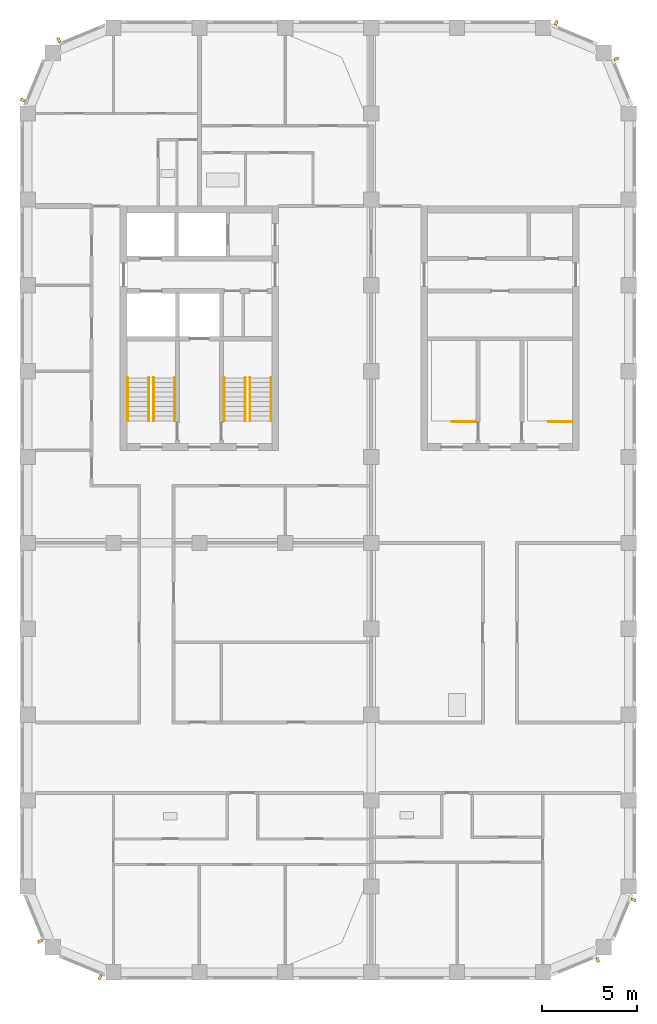
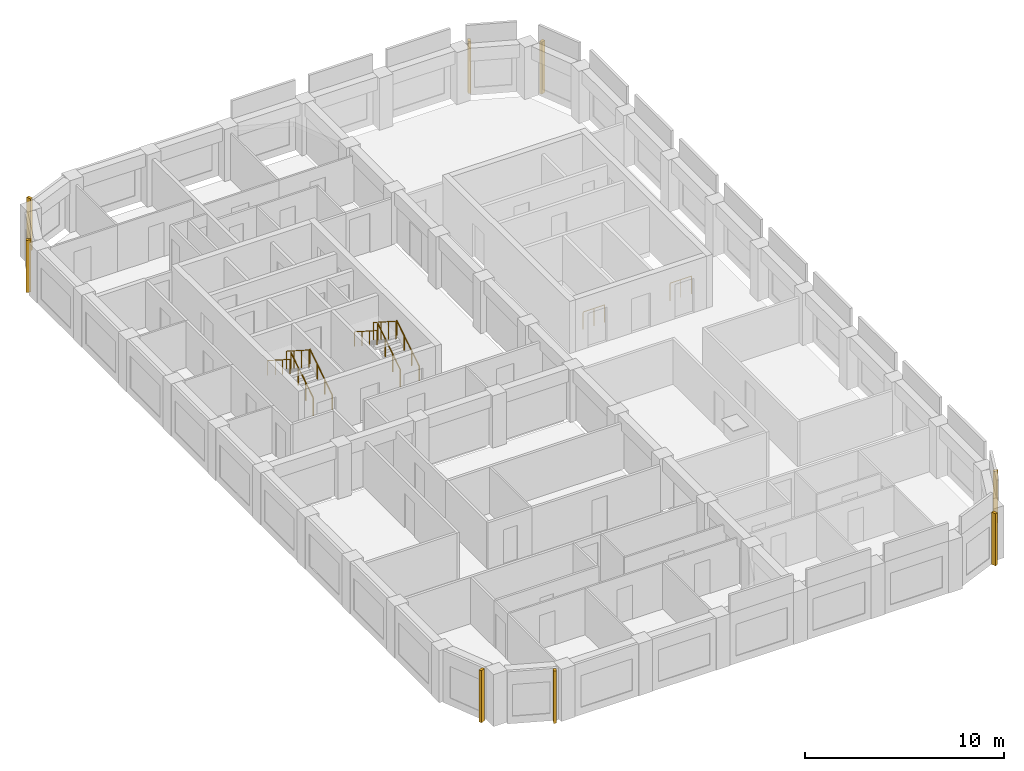
# One storey, part 9 of 10: 10 railings, 8 shading devices.
"""IFC4 building model written with IfcOpenShell, lengths in metres."""

from ifc_helpers import new_model, si_unit, direction, frame, origin, origin_2d, place, context, subcontext, project, spatial, rectangle, circle, extrude, material, type_object, element, save


model = new_model("IFC4")

# Units and contexts
model_context = context("Model", 3, precision=1e-05, world=origin(), true_north=direction((0.0, 1.0)))
body_context = subcontext(model_context, "Body", "Model", "MODEL_VIEW")
ifc_project = project(units=[si_unit("LENGTHUNIT", "METRE"), si_unit("AREAUNIT", "SQUARE_METRE"), si_unit("VOLUMEUNIT", "CUBIC_METRE"), si_unit("PLANEANGLEUNIT", "RADIAN"), si_unit("MASSUNIT", "GRAM", prefix="KILO")], contexts=[model_context])

# Site, building, storey
site_placement = place(None, origin())
site = spatial("IfcSite", under=ifc_project, at=site_placement, CompositionType="ELEMENT")
building_placement = place(site_placement, origin())
building = spatial("IfcBuilding", under=site, at=building_placement, Name="Girih Gate Residences", CompositionType="ELEMENT")
storey_placement = place(building_placement, frame((0.0, 0.0, 232.4951171875)))
storey = spatial("IfcBuildingStorey", under=building, at=storey_placement, Name="L65", CompositionType="ELEMENT", Elevation=232.4951171875)

# Shading devices
ifc_material_1 = material(Name="Precast concrete C50/60", Category="concrete")
shading_device_type = type_object("IfcShadingDeviceType", Name="Corner rib 150x250", PredefinedType="USERDEFINED", material=ifc_material_1)
for number, where, z_axis, x_axis, name in (
    (1, (29.867919921875, 0.646728515625, 0.0), (0.0, 0.0, 1.0), (0.923879532511, 0.382683432365, 0.0), "Corner rib SE0270_0000.0"),
    (2, (31.752685546875, 3.80322265625, 0.0), (0.0, 0.0, 1.0), (0.382683432365, 0.923879532511, 0.0), "Corner rib SE0302_0013.0"),
    (3, (30.853271484375, 47.867919921875, 0.0), (0.0, 0.0, 1.0), (-0.382683432365, 0.923879532511, 0.0), "Corner rib NE0315_0450.0"),
    (4, (27.69677734375, 49.752685546875, 0.0), (0.0, 0.0, 1.0), (-0.923879532511, 0.382683432365, 0.0), "Corner rib NE0302_0482.0"),
    (5, (1.632080078125, 48.853271484375, 0.0), (0.0, 0.0, 1.0), (-0.923879532511, -0.382683432365, 0.0), "Corner rib NW0045_0495.0"),
    (6, (-0.252685546875, 45.69677734375, 0.0), (0.0, 0.0, 1.0), (-0.382683432365, -0.923879532511, 0.0), "Corner rib NW0013_0482.0"),
    (7, (0.646728515625, 1.632080078125, 0.0), (0.0, 0.0, 1.0), (0.382683432365, -0.923879532511, 0.0), "Corner rib SW0000_0045.0"),
    (8, (3.80322265625, -0.252685546875, 0.0), (0.0, 0.0, 1.0), (0.923879532511, -0.382683432365, 0.0), "Corner rib SW0013_0013.0"),
):
    element("IfcShadingDevice", number, at=place(storey_placement, frame(where, z_axis=z_axis, x_axis=x_axis)), inside=storey, type_object=shading_device_type, Name=name, ObjectType="FIN", PredefinedType="USERDEFINED", context=body_context, shape_type="SweptSolid", body=[
        extrude(rectangle(XDim=0.14990234375, YDim=0.25, at=origin_2d()), origin(), (0.0, 0.0, 1.0), 3.199951171875),
    ])

# Railings
ifc_material_2 = material(Name="Stainless steel", Category="steel")
railing_type_1 = type_object("IfcRailingType", Name="Stair guard 1100", PredefinedType="GUARDRAIL", material=ifc_material_2)
railing_1_placement = place(storey_placement, frame((6.60009765625, 28.89990234375, 0.159912109375)))
element("IfcRailing", 9, at=railing_1_placement, inside=storey, type_object=railing_type_1, Name="L65 ST-W1 stair guard 1", PredefinedType="GUARDRAIL", context=body_context, shape_type="SweptSolid", body=[
    extrude(circle(Radius=0.02392578125, at=origin_2d()), frame((0.0, 0.0, 1.076171875), z_axis=(0.0, 0.842281359387, 0.539038135598), x_axis=(-1.0, 0.0, 0.0)), (0.0, 0.0, 1.0), 2.67138671875),
    extrude(circle(Radius=0.02099609375, at=origin_2d()), origin(), (0.0, 0.0, 1.0), 1.052001953125),
    extrude(circle(Radius=0.02099609375, at=origin_2d()), frame((0.0, 0.75, 0.47998046875)), (0.0, 0.0, 1.0), 1.052001953125),
    extrude(circle(Radius=0.02099609375, at=origin_2d()), frame((0.0, 1.5, 0.9599609375)), (0.0, 0.0, 1.0), 1.052001953125),
    extrude(circle(Radius=0.02099609375, at=origin_2d()), frame((0.0, 2.25, 1.43994140625)), (0.0, 0.0, 1.0), 1.052001953125),
])
railing_2_placement = place(storey_placement, frame((6.35009765625, 31.14990234375, 1.759765625)))
element("IfcRailing", 10, at=railing_2_placement, inside=storey, type_object=railing_type_1, Name="L65 ST-W1 stair guard 2", PredefinedType="GUARDRAIL", context=body_context, shape_type="SweptSolid", body=[
    extrude(circle(Radius=0.02392578125, at=origin_2d()), frame((0.0, 0.0, 1.076171875), z_axis=(0.0, -0.842239864353, 0.539102968731), x_axis=(1.0, 0.0, 0.0)), (0.0, 0.0, 1.0), 2.67138671875),
    extrude(circle(Radius=0.02099609375, at=origin_2d()), origin(), (0.0, 0.0, 1.0), 1.052001953125),
    extrude(circle(Radius=0.02099609375, at=origin_2d()), frame((0.0, -0.75, 0.47998046875)), (0.0, 0.0, 1.0), 1.052001953125),
    extrude(circle(Radius=0.02099609375, at=origin_2d()), frame((0.0, -1.5, 0.960205078125)), (0.0, 0.0, 1.0), 1.052001953125),
    extrude(circle(Radius=0.02099609375, at=origin_2d()), frame((0.0, -2.25, 1.440185546875)), (0.0, 0.0, 1.0), 1.052001953125),
])
railing_3_placement = place(storey_placement, frame((11.64990234375, 28.89990234375, 0.159912109375)))
element("IfcRailing", 11, at=railing_3_placement, inside=storey, type_object=railing_type_1, Name="L65 ST-W2 stair guard 1", PredefinedType="GUARDRAIL", context=body_context, shape_type="SweptSolid", body=[
    extrude(circle(Radius=0.02392578125, at=origin_2d()), frame((0.0, 0.0, 1.076171875), z_axis=(0.0, 0.842281359387, 0.539038135598), x_axis=(-1.0, 0.0, 0.0)), (0.0, 0.0, 1.0), 2.67138671875),
    extrude(circle(Radius=0.02099609375, at=origin_2d()), origin(), (0.0, 0.0, 1.0), 1.052001953125),
    extrude(circle(Radius=0.02099609375, at=origin_2d()), frame((0.0, 0.75, 0.47998046875)), (0.0, 0.0, 1.0), 1.052001953125),
    extrude(circle(Radius=0.02099609375, at=origin_2d()), frame((0.0, 1.5, 0.9599609375)), (0.0, 0.0, 1.0), 1.052001953125),
    extrude(circle(Radius=0.02099609375, at=origin_2d()), frame((0.0, 2.25, 1.43994140625)), (0.0, 0.0, 1.0), 1.052001953125),
])
railing_4_placement = place(storey_placement, frame((11.39990234375, 31.14990234375, 1.759765625)))
element("IfcRailing", 12, at=railing_4_placement, inside=storey, type_object=railing_type_1, Name="L65 ST-W2 stair guard 2", PredefinedType="GUARDRAIL", context=body_context, shape_type="SweptSolid", body=[
    extrude(circle(Radius=0.02392578125, at=origin_2d()), frame((0.0, 0.0, 1.076171875), z_axis=(0.0, -0.842239864353, 0.539102968731), x_axis=(1.0, 0.0, 0.0)), (0.0, 0.0, 1.0), 2.67138671875),
    extrude(circle(Radius=0.02099609375, at=origin_2d()), origin(), (0.0, 0.0, 1.0), 1.052001953125),
    extrude(circle(Radius=0.02099609375, at=origin_2d()), frame((0.0, -0.75, 0.47998046875)), (0.0, 0.0, 1.0), 1.052001953125),
    extrude(circle(Radius=0.02099609375, at=origin_2d()), frame((0.0, -1.5, 0.960205078125)), (0.0, 0.0, 1.0), 1.052001953125),
    extrude(circle(Radius=0.02099609375, at=origin_2d()), frame((0.0, -2.25, 1.440185546875)), (0.0, 0.0, 1.0), 1.052001953125),
])
for number, where, name in (
    (13, (23.5, 28.85009765625, 0.0), "L65 ST-C1 top well guard 1"),
    (14, (28.550048828125, 28.85009765625, 0.0), "L65 ST-C2 top well guard 1"),
):
    element("IfcRailing", number, at=place(storey_placement, frame(where)), inside=storey, type_object=railing_type_1, Name=name, PredefinedType="GUARDRAIL", context=body_context, shape_type="SweptSolid", body=[
        extrude(circle(Radius=0.02392578125, at=origin_2d()), frame((0.0, 0.0, 1.076171875), z_axis=(-1.0, 0.0, 0.0), x_axis=(0.0, -1.0, 0.0)), (0.0, 0.0, 1.0), 1.25),
        extrude(circle(Radius=0.02099609375, at=origin_2d()), origin(), (0.0, 0.0, 1.0), 1.052001953125),
        extrude(circle(Radius=0.02099609375, at=origin_2d()), frame((-0.625, 0.0, 0.0)), (0.0, 0.0, 1.0), 1.052001953125),
        extrude(circle(Radius=0.02099609375, at=origin_2d()), frame((-1.25, 0.0, 0.0)), (0.0, 0.0, 1.0), 1.052001953125),
    ])
railing_type_2 = type_object("IfcRailingType", Name="Stair handrail 900", PredefinedType="HANDRAIL", material=ifc_material_2)
railing_5_placement = place(storey_placement, frame((7.699951171875, 28.89990234375, 0.159912109375)))
element("IfcRailing", 15, at=railing_5_placement, inside=storey, type_object=railing_type_2, Name="L65 ST-W1 stair handrail 1", PredefinedType="HANDRAIL", context=body_context, shape_type="SweptSolid", body=[
    extrude(circle(Radius=0.02392578125, at=origin_2d()), frame((0.0, 0.0, 0.8857421875), z_axis=(0.0, 0.842281359387, 0.539038135598), x_axis=(-1.0, 0.0, 0.0)), (0.0, 0.0, 1.0), 2.67138671875),
    extrude(circle(Radius=0.02099609375, at=origin_2d()), origin(), (0.0, 0.0, 1.0), 0.86181640625),
    extrude(circle(Radius=0.02099609375, at=origin_2d()), frame((0.0, 0.75, 0.47998046875)), (0.0, 0.0, 1.0), 0.86181640625),
    extrude(circle(Radius=0.02099609375, at=origin_2d()), frame((0.0, 1.5, 0.9599609375)), (0.0, 0.0, 1.0), 0.86181640625),
    extrude(circle(Radius=0.02099609375, at=origin_2d()), frame((0.0, 2.25, 1.43994140625)), (0.0, 0.0, 1.0), 0.86181640625),
])
railing_6_placement = place(storey_placement, frame((5.25, 31.14990234375, 1.759765625)))
element("IfcRailing", 16, at=railing_6_placement, inside=storey, type_object=railing_type_2, Name="L65 ST-W1 stair handrail 2", PredefinedType="HANDRAIL", context=body_context, shape_type="SweptSolid", body=[
    extrude(circle(Radius=0.02392578125, at=origin_2d()), frame((0.0, 0.0, 0.8857421875), z_axis=(0.0, -0.842239864353, 0.539102968731), x_axis=(1.0, 0.0, 0.0)), (0.0, 0.0, 1.0), 2.67138671875),
    extrude(circle(Radius=0.02099609375, at=origin_2d()), origin(), (0.0, 0.0, 1.0), 0.86181640625),
    extrude(circle(Radius=0.02099609375, at=origin_2d()), frame((0.0, -0.75, 0.47998046875)), (0.0, 0.0, 1.0), 0.86181640625),
    extrude(circle(Radius=0.02099609375, at=origin_2d()), frame((0.0, -1.5, 0.960205078125)), (0.0, 0.0, 1.0), 0.86181640625),
    extrude(circle(Radius=0.02099609375, at=origin_2d()), frame((0.0, -2.25, 1.440185546875)), (0.0, 0.0, 1.0), 0.86181640625),
])
railing_7_placement = place(storey_placement, frame((12.75, 28.89990234375, 0.159912109375)))
element("IfcRailing", 17, at=railing_7_placement, inside=storey, type_object=railing_type_2, Name="L65 ST-W2 stair handrail 1", PredefinedType="HANDRAIL", context=body_context, shape_type="SweptSolid", body=[
    extrude(circle(Radius=0.02392578125, at=origin_2d()), frame((0.0, 0.0, 0.8857421875), z_axis=(0.0, 0.842281359387, 0.539038135598), x_axis=(-1.0, 0.0, 0.0)), (0.0, 0.0, 1.0), 2.67138671875),
    extrude(circle(Radius=0.02099609375, at=origin_2d()), origin(), (0.0, 0.0, 1.0), 0.86181640625),
    extrude(circle(Radius=0.02099609375, at=origin_2d()), frame((0.0, 0.75, 0.47998046875)), (0.0, 0.0, 1.0), 0.86181640625),
    extrude(circle(Radius=0.02099609375, at=origin_2d()), frame((0.0, 1.5, 0.9599609375)), (0.0, 0.0, 1.0), 0.86181640625),
    extrude(circle(Radius=0.02099609375, at=origin_2d()), frame((0.0, 2.25, 1.43994140625)), (0.0, 0.0, 1.0), 0.86181640625),
])
railing_8_placement = place(storey_placement, frame((10.300048828125, 31.14990234375, 1.759765625)))
element("IfcRailing", 18, at=railing_8_placement, inside=storey, type_object=railing_type_2, Name="L65 ST-W2 stair handrail 2", PredefinedType="HANDRAIL", context=body_context, shape_type="SweptSolid", body=[
    extrude(circle(Radius=0.02392578125, at=origin_2d()), frame((0.0, 0.0, 0.8857421875), z_axis=(0.0, -0.842239864353, 0.539102968731), x_axis=(1.0, 0.0, 0.0)), (0.0, 0.0, 1.0), 2.67138671875),
    extrude(circle(Radius=0.02099609375, at=origin_2d()), origin(), (0.0, 0.0, 1.0), 0.86181640625),
    extrude(circle(Radius=0.02099609375, at=origin_2d()), frame((0.0, -0.75, 0.47998046875)), (0.0, 0.0, 1.0), 0.86181640625),
    extrude(circle(Radius=0.02099609375, at=origin_2d()), frame((0.0, -1.5, 0.960205078125)), (0.0, 0.0, 1.0), 0.86181640625),
    extrude(circle(Radius=0.02099609375, at=origin_2d()), frame((0.0, -2.25, 1.440185546875)), (0.0, 0.0, 1.0), 0.86181640625),
])

save(model, "model.ifc")
